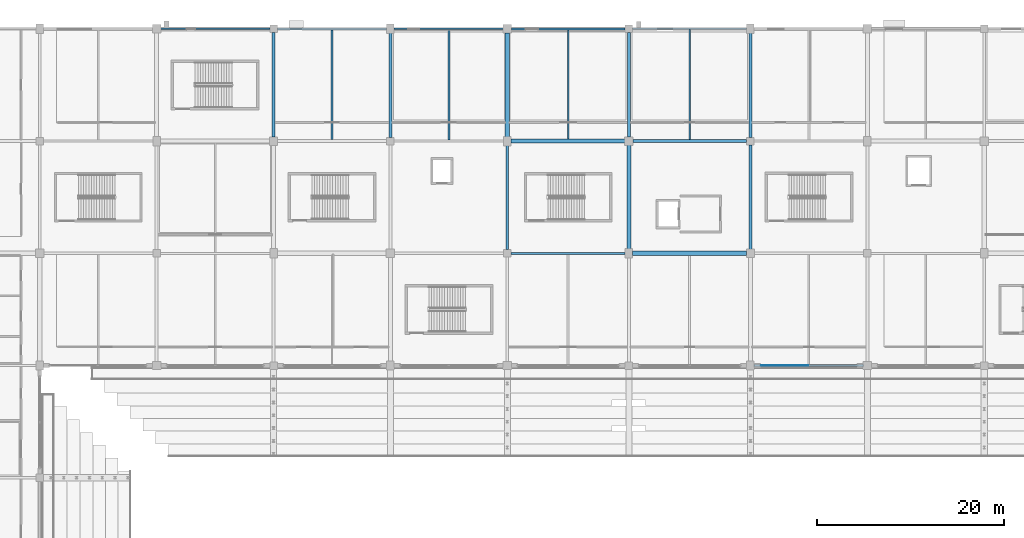
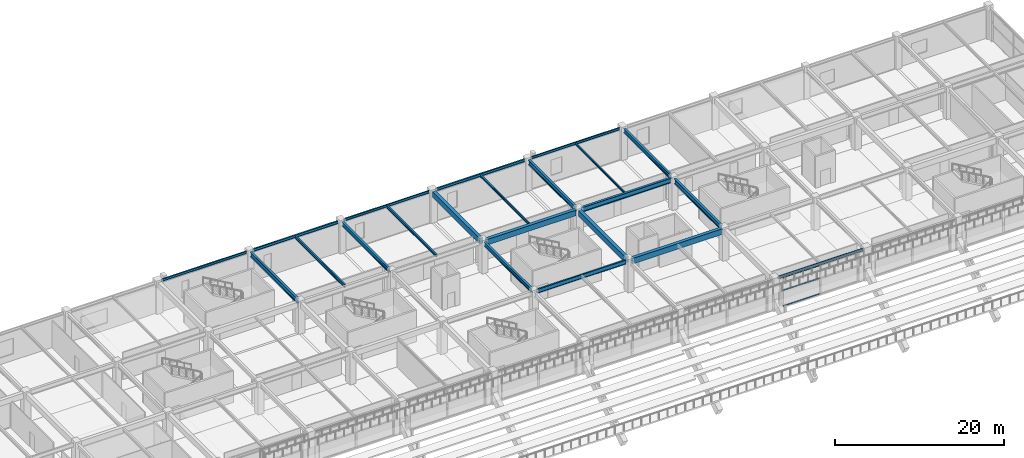
# One storey, part 58 of 134: 22 beams, 3 members, 1 element without a shape of its own.
"""IFC4 building model written with IfcOpenShell, lengths in metres."""

from ifc_helpers import new_model, si_unit, direction, frame, origin, origin_2d, place, context, subcontext, project, spatial, rectangle, i_section, extrude, material, layer, layer_set, material_profile, profile_set, type_object, element, aggregate, save


model = new_model("IFC4")

# Units and contexts
model_context = context("Model", 3, precision=1e-05, world=origin(), true_north=direction((0.0, 1.0)))
body_context = subcontext(model_context, "Body", "Model", "MODEL_VIEW")
ifc_project = project(units=[si_unit("LENGTHUNIT", "METRE"), si_unit("AREAUNIT", "SQUARE_METRE"), si_unit("VOLUMEUNIT", "CUBIC_METRE"), si_unit("PLANEANGLEUNIT", "RADIAN"), si_unit("MASSUNIT", "GRAM", prefix="KILO")], contexts=[model_context])

# Site, building, storey
site_placement = place(None, origin())
site = spatial("IfcSite", under=ifc_project, at=site_placement, CompositionType="ELEMENT")
building_placement = place(site_placement, origin())
building = spatial("IfcBuilding", under=site, at=building_placement, Name="Kazenohara Klinker Stadium", CompositionType="ELEMENT")
storey_placement = place(building_placement, frame((0.0, 0.0, 5.39990234375)))
storey = spatial("IfcBuildingStorey", under=building, at=storey_placement, Name="L01", CompositionType="ELEMENT", Elevation=5.39990234375)

# Beams
ifc_material_1 = material(Name="Steel S355", Category="steel")
ifc_material_profile_1 = material_profile(ifc_material_1, i_section(OverallWidth=0.199951171875, OverallDepth=0.449951171875, WebThickness=0.009033203125, FlangeThickness=0.013916015625, FilletRadius=0.012939453125, at=origin_2d()), Name="H-450x200x9x14")
ifc_profile_set_1 = profile_set([ifc_material_profile_1], Name="Steel S355")
beam_type_1 = type_object("IfcBeamType", Name="BM-JST02", PredefinedType="JOIST", material=ifc_profile_set_1)
beam_1_placement = place(storey_placement, frame((80.25, 156.14990234375, 4.3251953125), z_axis=(0.0, 1.0, 0.0), x_axis=(-1.0, 0.0, 0.0)))
element("IfcBeam", 1, at=beam_1_placement, inside=storey, type_object=beam_type_1, Name="Secondary floor joist SJ02 L01 7/P", PredefinedType="JOIST", context=body_context, shape_type="SweptSolid", body=[
    extrude(i_section(OverallWidth=0.199951171875, OverallDepth=0.449951171875, WebThickness=0.009033203125, FlangeThickness=0.013916015625, FilletRadius=0.012939453125, at=origin_2d()), origin(), (0.0, 0.0, 1.0), 11.75),
])
ifc_material_profile_2 = material_profile(ifc_material_1, i_section(OverallWidth=0.199951171875, OverallDepth=0.39990234375, WebThickness=0.008056640625, FlangeThickness=0.012939453125, FilletRadius=0.012939453125, at=origin_2d()), Name="H-400x200x8x13")
ifc_profile_set_2 = profile_set([ifc_material_profile_2], Name="Steel S355")
beam_type_2 = type_object("IfcBeamType", Name="BM-JST03", PredefinedType="JOIST", material=ifc_profile_set_2)
beam_2_placement = place(storey_placement, frame((92.75, 156.10009765625, 4.35009765625), z_axis=(0.0, 1.0, 0.0), x_axis=(-1.0, 0.0, 0.0)))
element("IfcBeam", 2, at=beam_2_placement, inside=storey, type_object=beam_type_2, Name="Secondary floor joist SJ03 L01 8/P", PredefinedType="JOIST", context=body_context, shape_type="SweptSolid", body=[
    extrude(i_section(OverallWidth=0.199951171875, OverallDepth=0.39990234375, WebThickness=0.008056640625, FlangeThickness=0.012939453125, FilletRadius=0.012939453125, at=origin_2d()), origin(), (0.0, 0.0, 1.0), 11.8125),
])
ifc_material_profile_3 = material_profile(ifc_material_1, i_section(OverallWidth=0.175048828125, OverallDepth=0.35009765625, WebThickness=0.007080078125, FlangeThickness=0.010986328125, FilletRadius=0.012939453125, at=origin_2d()), Name="H-350x175x7x11")
ifc_profile_set_3 = profile_set([ifc_material_profile_3], Name="Steel S355")
beam_type_3 = type_object("IfcBeamType", Name="BM-JST04", PredefinedType="JOIST", material=ifc_profile_set_3)
beam_3_placement = place(storey_placement, frame((105.5, 156.22509765625, 4.375), z_axis=(0.0, 1.0, 0.0), x_axis=(-1.0, 0.0, 0.0)))
element("IfcBeam", 3, at=beam_3_placement, inside=storey, type_object=beam_type_3, Name="Secondary floor joist SJ04 L01 9/P", PredefinedType="JOIST", context=body_context, shape_type="SweptSolid", body=[
    extrude(i_section(OverallWidth=0.175048828125, OverallDepth=0.35009765625, WebThickness=0.007080078125, FlangeThickness=0.010986328125, FilletRadius=0.012939453125, at=origin_2d()), origin(), (0.0, 0.0, 1.0), 11.6748046875),
])
ifc_material_profile_4 = material_profile(ifc_material_1, i_section(OverallWidth=0.14990234375, OverallDepth=0.300048828125, WebThickness=0.006591796875, FlangeThickness=0.009033203125, FilletRadius=0.012939453125, at=origin_2d()), Name="H-300x150x6.5x9")
ifc_profile_set_4 = profile_set([ifc_material_profile_4], Name="Steel S355")
beam_type_4 = type_object("IfcBeamType", Name="BM-JST05", PredefinedType="JOIST", material=ifc_profile_set_4)
beam_4_placement = place(storey_placement, frame((118.5, 156.14990234375, 4.400146484375), z_axis=(0.0, 1.0, 0.0), x_axis=(-1.0, 0.0, 0.0)))
element("IfcBeam", 4, at=beam_4_placement, inside=storey, type_object=beam_type_4, Name="Secondary floor joist SJ05 L01 10/P", PredefinedType="JOIST", context=body_context, shape_type="SweptSolid", body=[
    extrude(i_section(OverallWidth=0.14990234375, OverallDepth=0.300048828125, WebThickness=0.006591796875, FlangeThickness=0.009033203125, FilletRadius=0.012939453125, at=origin_2d()), origin(), (0.0, 0.0, 1.0), 11.7626953125),
])
ifc_material_2 = material(Name="Concrete C40/50", Category="concrete")
ifc_material_profile_5 = material_profile(ifc_material_2, rectangle(XDim=0.449951171875, YDim=0.800048828125, at=origin_2d()), Name="RC-BM-450x800")
ifc_profile_set_5 = profile_set([ifc_material_profile_5], Name="Concrete C40/50")
beam_type_5 = type_object("IfcBeamType", Name="BM-RC03", PredefinedType="BEAM", material=ifc_profile_set_5)
for number, where, z_axis, x_axis, name in (
    (5, (99.39990234375, 156.0, 4.150146484375), (1.0, 0.0, 0.0), (0.0, 1.0, 0.0), "Primary girder BG03 L01 9-10/P"),
    (6, (112.39990234375, 144.0, 4.150146484375), (1.0, 0.0, 0.0), (0.0, 1.0, 0.0), "Primary girder BG03 L01 10-11/N"),
):
    element("IfcBeam", number, at=place(storey_placement, frame(where, z_axis=z_axis, x_axis=x_axis)), inside=storey, type_object=beam_type_5, Name=name, PredefinedType="BEAM", context=body_context, shape_type="SweptSolid", body=[
        extrude(rectangle(XDim=0.449951171875, YDim=0.800048828125, at=origin_2d()), origin(), (0.0, 0.0, 1.0), 12.18017578125),
    ])
for number, where, z_axis, x_axis, name in (
    (7, (99.0, 156.419921875, 4.150146484375), (0.0, 1.0, 0.0), (-1.0, 0.0, 0.0), "Primary girder BG03 L01 9/P-Q"),
    (8, (112.0, 144.419921875, 4.150146484375), (0.0, 1.0, 0.0), (-1.0, 0.0, 0.0), "Primary girder BG03 L01 10/N-P"),
):
    element("IfcBeam", number, at=place(storey_placement, frame(where, z_axis=z_axis, x_axis=x_axis)), inside=storey, type_object=beam_type_5, Name=name, PredefinedType="BEAM", context=body_context, shape_type="SweptSolid", body=[
        extrude(rectangle(XDim=0.449951171875, YDim=0.800048828125, at=origin_2d()), origin(), (0.0, 0.0, 1.0), 11.16015625),
    ])
ifc_material_profile_6 = material_profile(ifc_material_1, i_section(OverallWidth=0.199951171875, OverallDepth=0.39990234375, WebThickness=0.008056640625, FlangeThickness=0.012939453125, FilletRadius=0.012939453125, at=origin_2d()), Name="H-400x200x8x13")
ifc_profile_set_6 = profile_set([ifc_material_profile_6], Name="Steel S355")
beam_type_6 = type_object("IfcBeamType", Name="BM-SPD01", PredefinedType="SPANDREL", material=ifc_profile_set_6)
beam_5_placement = place(storey_placement, frame((74.39990234375, 168.0, 4.35009765625), z_axis=(1.0, 0.0, 0.0), x_axis=(0.0, 1.0, 0.0)))
element("IfcBeam", 9, at=beam_5_placement, inside=storey, type_object=beam_type_6, Name="Primary girder SP01 L01 7-8/Q", PredefinedType="SPANDREL", context=body_context, shape_type="SweptSolid", body=[
    extrude(i_section(OverallWidth=0.199951171875, OverallDepth=0.39990234375, WebThickness=0.008056640625, FlangeThickness=0.012939453125, FilletRadius=0.012939453125, at=origin_2d()), origin(), (0.0, 0.0, 1.0), 11.7001953125),
])
beam_6_placement = place(storey_placement, frame((99.419921875, 168.0, 4.35009765625), z_axis=(1.0, 0.0, 0.0), x_axis=(0.0, 1.0, 0.0)))
element("IfcBeam", 10, at=beam_6_placement, inside=storey, type_object=beam_type_6, Name="Primary girder SP01 L01 9-10/Q", PredefinedType="SPANDREL", context=body_context, shape_type="SweptSolid", body=[
    extrude(i_section(OverallWidth=0.199951171875, OverallDepth=0.39990234375, WebThickness=0.008056640625, FlangeThickness=0.012939453125, FilletRadius=0.012939453125, at=origin_2d()), origin(), (0.0, 0.0, 1.0), 12.18017578125),
])
ifc_material_profile_7 = material_profile(ifc_material_1, i_section(OverallWidth=0.175048828125, OverallDepth=0.35009765625, WebThickness=0.007080078125, FlangeThickness=0.010986328125, FilletRadius=0.012939453125, at=origin_2d()), Name="H-350x175x7x11")
ifc_profile_set_7 = profile_set([ifc_material_profile_7], Name="Steel S355")
beam_type_7 = type_object("IfcBeamType", Name="BM-SPD02", PredefinedType="SPANDREL", material=ifc_profile_set_7)
for number, where, z_axis, x_axis, name in (
    (11, (61.919921875, 168.0, 4.375), (1.0, 0.0, 0.0), (0.0, 1.0, 0.0), "Primary girder SP02 L01 6-7/Q"),
    (12, (86.89990234375, 168.0, 4.375), (1.0, 0.0, 0.0), (0.0, 1.0, 0.0), "Primary girder SP02 L01 8-9/Q"),
):
    element("IfcBeam", number, at=place(storey_placement, frame(where, z_axis=z_axis, x_axis=x_axis)), inside=storey, type_object=beam_type_7, Name=name, PredefinedType="SPANDREL", context=body_context, shape_type="SweptSolid", body=[
        extrude(i_section(OverallWidth=0.175048828125, OverallDepth=0.35009765625, WebThickness=0.007080078125, FlangeThickness=0.010986328125, FilletRadius=0.012939453125, at=origin_2d()), origin(), (0.0, 0.0, 1.0), 11.68017578125),
    ])
beam_7_placement = place(storey_placement, frame((112.39990234375, 168.0, 4.375), z_axis=(1.0, 0.0, 0.0), x_axis=(0.0, 1.0, 0.0)))
element("IfcBeam", 13, at=beam_7_placement, inside=storey, type_object=beam_type_7, Name="Primary girder SP02 L01 10-11/Q", PredefinedType="SPANDREL", context=body_context, shape_type="SweptSolid", body=[
    extrude(i_section(OverallWidth=0.175048828125, OverallDepth=0.35009765625, WebThickness=0.007080078125, FlangeThickness=0.010986328125, FilletRadius=0.012939453125, at=origin_2d()), origin(), (0.0, 0.0, 1.0), 12.2001953125),
])
beam_8_placement = place(storey_placement, frame((125.39990234375, 132.0, 4.375), z_axis=(1.0, 0.0, 0.0), x_axis=(0.0, 1.0, 0.0)))
element("IfcBeam", 14, at=beam_8_placement, inside=storey, type_object=beam_type_7, Name="Primary girder SP02 L01 11-12/M", PredefinedType="SPANDREL", context=body_context, shape_type="SweptSolid", body=[
    extrude(i_section(OverallWidth=0.175048828125, OverallDepth=0.35009765625, WebThickness=0.007080078125, FlangeThickness=0.010986328125, FilletRadius=0.012939453125, at=origin_2d()), origin(), (0.0, 0.0, 1.0), 11.68017578125),
])
ifc_material_profile_8 = material_profile(ifc_material_1, i_section(OverallWidth=0.300048828125, OverallDepth=0.699951171875, WebThickness=0.012939453125, FlangeThickness=0.02392578125, FilletRadius=0.02197265625, at=origin_2d()), Name="H-700x300x13x24")
ifc_profile_set_8 = profile_set([ifc_material_profile_8], Name="Steel S355")
beam_type_8 = type_object("IfcBeamType", Name="BM-ST03", PredefinedType="BEAM", material=ifc_profile_set_8)
beam_9_placement = place(storey_placement, frame((112.419921875, 156.0, 4.2001953125), z_axis=(1.0, 0.0, 0.0), x_axis=(0.0, 1.0, 0.0)))
element("IfcBeam", 15, at=beam_9_placement, inside=storey, type_object=beam_type_8, Name="Primary girder SB03 L01 10-11/P", PredefinedType="BEAM", context=body_context, shape_type="SweptSolid", body=[
    extrude(i_section(OverallWidth=0.300048828125, OverallDepth=0.699951171875, WebThickness=0.012939453125, FlangeThickness=0.02392578125, FilletRadius=0.02197265625, at=origin_2d()), origin(), (0.0, 0.0, 1.0), 12.18017578125),
])
for number, where, z_axis, x_axis, name in (
    (16, (74.0, 156.419921875, 4.2001953125), (0.0, 1.0, 0.0), (-1.0, 0.0, 0.0), "Primary girder SB03 L01 7/P-Q"),
    (17, (112.0, 156.419921875, 4.2001953125), (0.0, 1.0, 0.0), (-1.0, 0.0, 0.0), "Primary girder SB03 L01 10/P-Q"),
    (18, (125.0, 144.419921875, 4.2001953125), (0.0, 1.0, 0.0), (-1.0, 0.0, 0.0), "Primary girder SB03 L01 11/N-P"),
):
    element("IfcBeam", number, at=place(storey_placement, frame(where, z_axis=z_axis, x_axis=x_axis)), inside=storey, type_object=beam_type_8, Name=name, PredefinedType="BEAM", context=body_context, shape_type="SweptSolid", body=[
        extrude(i_section(OverallWidth=0.300048828125, OverallDepth=0.699951171875, WebThickness=0.012939453125, FlangeThickness=0.02392578125, FilletRadius=0.02197265625, at=origin_2d()), origin(), (0.0, 0.0, 1.0), 11.18017578125),
    ])
ifc_material_profile_9 = material_profile(ifc_material_1, i_section(OverallWidth=0.199951171875, OverallDepth=0.60009765625, WebThickness=0.010986328125, FlangeThickness=0.01708984375, FilletRadius=0.012939453125, at=origin_2d()), Name="H-600x200x11x17")
ifc_profile_set_9 = profile_set([ifc_material_profile_9], Name="Steel S355")
beam_type_9 = type_object("IfcBeamType", Name="BM-ST04", PredefinedType="BEAM", material=ifc_profile_set_9)
beam_10_placement = place(storey_placement, frame((99.39990234375, 144.0, 4.25), z_axis=(1.0, 0.0, 0.0), x_axis=(0.0, 1.0, 0.0)))
element("IfcBeam", 19, at=beam_10_placement, inside=storey, type_object=beam_type_9, Name="Primary girder SB04 L01 9-10/N", PredefinedType="BEAM", context=body_context, shape_type="SweptSolid", body=[
    extrude(i_section(OverallWidth=0.199951171875, OverallDepth=0.60009765625, WebThickness=0.010986328125, FlangeThickness=0.01708984375, FilletRadius=0.012939453125, at=origin_2d()), origin(), (0.0, 0.0, 1.0), 12.2001953125),
])
ifc_material_profile_10 = material_profile(ifc_material_1, i_section(OverallWidth=0.300048828125, OverallDepth=0.587890625, WebThickness=0.011962890625, FlangeThickness=0.02001953125, FilletRadius=0.02197265625, at=origin_2d()), Name="H-588x300x12x20")
ifc_profile_set_10 = profile_set([ifc_material_profile_10], Name="Steel S355")
beam_type_10 = type_object("IfcBeamType", Name="BM-ST05", PredefinedType="BEAM", material=ifc_profile_set_10)
for number, where, z_axis, x_axis, name in (
    (20, (86.5, 156.39990234375, 4.256103515625), (0.0, 1.0, 0.0), (-1.0, 0.0, 0.0), "Primary girder SB05 L01 8/P-Q"),
    (21, (99.0, 144.39990234375, 4.256103515625), (0.0, 1.0, 0.0), (-1.0, 0.0, 0.0), "Primary girder SB05 L01 9/N-P"),
    (22, (125.0, 156.39990234375, 4.256103515625), (0.0, 1.0, 0.0), (-1.0, 0.0, 0.0), "Primary girder SB05 L01 11/P-Q"),
):
    element("IfcBeam", number, at=place(storey_placement, frame(where, z_axis=z_axis, x_axis=x_axis)), inside=storey, type_object=beam_type_10, Name=name, PredefinedType="BEAM", context=body_context, shape_type="SweptSolid", body=[
        extrude(i_section(OverallWidth=0.300048828125, OverallDepth=0.587890625, WebThickness=0.011962890625, FlangeThickness=0.02001953125, FilletRadius=0.02197265625, at=origin_2d()), origin(), (0.0, 0.0, 1.0), 11.18017578125),
    ])

# Curtain wall, members
ifc_material_3 = material(Name="Anodised aluminium and triple glazing", Category="aluminium")
ifc_layer = layer(ifc_material_3, 0.159912109375)
ifc_layer_set = layer_set([ifc_layer], Name="Anodised aluminium and triple glazing")
curtain_wall_type = type_object("IfcCurtainWallType", Name="CW-SYS-01", PredefinedType="USERDEFINED", material=ifc_layer_set)
curtain_wall_placement = place(storey_placement, origin())
curtain_wall = element("IfcCurtainWall", 23, at=curtain_wall_placement, inside=storey, type_object=curtain_wall_type, Name="Unitised facade curtain wall CW01 L01 X10-11", ObjectType="UNITISED CURTAIN WALL", PredefinedType="USERDEFINED")
ifc_material_4 = material(Name="Anodised aluminium 6063-T6", Category="aluminium")
ifc_material_profile_11 = material_profile(ifc_material_4, rectangle(XDim=0.074951171875, YDim=0.159912109375, at=origin_2d()), Name="ALU-TRN-75x160")
ifc_profile_set_11 = profile_set([ifc_material_profile_11], Name="Anodised aluminium 6063-T6")
member_type = type_object("IfcMemberType", Name="CW-TRN-160", PredefinedType="USERDEFINED", material=ifc_profile_set_11)
member_1_placement = place(storey_placement, frame((126.12890625, 132.0, 0.03759765625), z_axis=(1.0, 0.0, 0.0), x_axis=(0.0, 1.0, 0.0)))
member_1 = element("IfcMember", 24, at=member_1_placement, type_object=member_type, Name="CW01 transom 1.1", ObjectType="TRANSOM", PredefinedType="USERDEFINED", context=body_context, shape_type="SweptSolid", body=[
    extrude(rectangle(XDim=0.074951171875, YDim=0.159912109375, at=origin_2d()), origin(), (0.0, 0.0, 1.0), 5.05859375),
])
member_2_placement = place(storey_placement, frame((126.12890625, 132.0, 2.31005859375), z_axis=(1.0, 0.0, 0.0), x_axis=(0.0, 1.0, 0.0)))
member_2 = element("IfcMember", 25, at=member_2_placement, type_object=member_type, Name="CW01 transom 1.2", ObjectType="TRANSOM", PredefinedType="USERDEFINED", context=body_context, shape_type="SweptSolid", body=[
    extrude(rectangle(XDim=0.074951171875, YDim=0.159912109375, at=origin_2d()), origin(), (0.0, 0.0, 1.0), 5.05859375),
])
member_3_placement = place(storey_placement, frame((126.12890625, 132.0, 4.16259765625), z_axis=(1.0, 0.0, 0.0), x_axis=(0.0, 1.0, 0.0)))
member_3 = element("IfcMember", 26, at=member_3_placement, type_object=member_type, Name="CW01 transom 1.3", ObjectType="TRANSOM", PredefinedType="USERDEFINED", context=body_context, shape_type="SweptSolid", body=[
    extrude(rectangle(XDim=0.074951171875, YDim=0.159912109375, at=origin_2d()), origin(), (0.0, 0.0, 1.0), 5.05859375),
])
aggregate(curtain_wall, [member_1, member_2, member_3])

save(model, "model.ifc")
